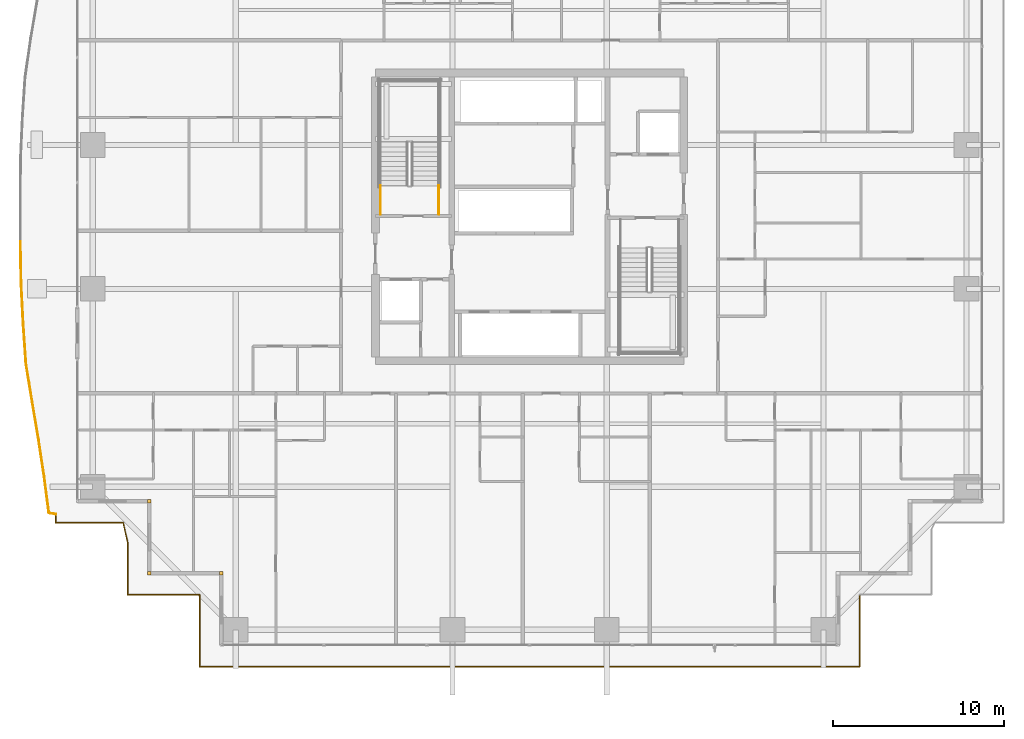
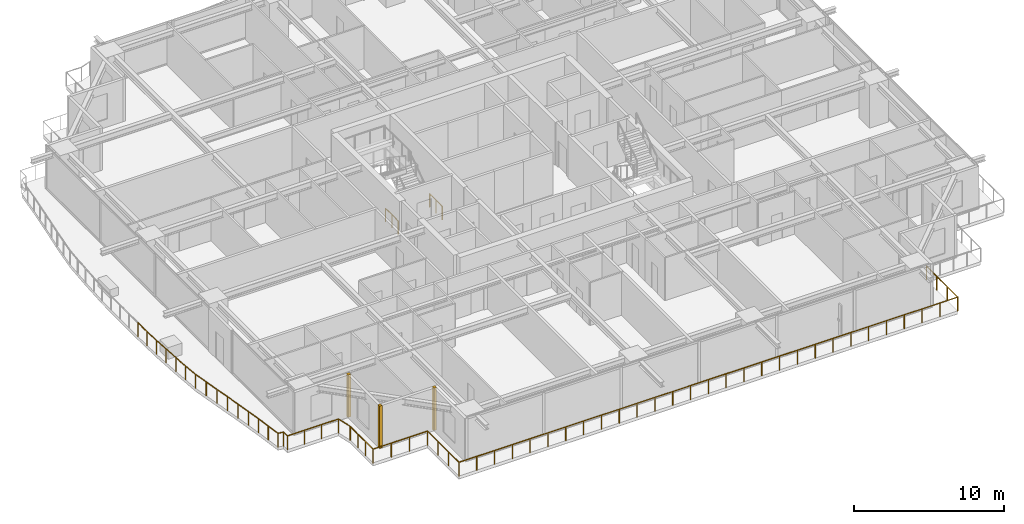
# One storey, part 31 of 36: 4 railings, 3 coverings.
"""IFC4 building model written with IfcOpenShell, lengths in metres."""

from ifc_helpers import new_model, si_unit, direction, frame, origin, origin_2d, place, context, subcontext, project, spatial, rectangle, circle, extrude, source, transform, mapped, material, layer, layer_set, type_object, element, save


model = new_model("IFC4")

# Units and contexts
model_context = context("Model", 3, precision=1e-05, world=origin(), true_north=direction((0.0, 1.0)))
body_context = subcontext(model_context, "Body", "Model", "MODEL_VIEW")
ifc_project = project(units=[si_unit("LENGTHUNIT", "METRE"), si_unit("AREAUNIT", "SQUARE_METRE"), si_unit("VOLUMEUNIT", "CUBIC_METRE"), si_unit("PLANEANGLEUNIT", "RADIAN"), si_unit("MASSUNIT", "GRAM", prefix="KILO")], contexts=[model_context])

# Site, building, storey
site_placement = place(None, origin())
site = spatial("IfcSite", under=ifc_project, at=site_placement, CompositionType="ELEMENT")
building_placement = place(site_placement, origin())
building = spatial("IfcBuilding", under=site, at=building_placement, Name="Serunith Strait Residences", CompositionType="ELEMENT")
storey_placement = place(building_placement, frame((0.0, 0.0, 86.699951171875)))
storey = spatial("IfcBuildingStorey", under=building, at=storey_placement, Name="L21", CompositionType="ELEMENT", Elevation=86.699951171875)

# Railings
ifc_material_1 = material(Name="Stainless Steel & Laminated Glass Balustrade", Category="steel")
railing_type_1 = type_object("IfcRailingType", Name="RLG-BALC-1150", PredefinedType="BALUSTRADE", material=ifc_material_1)
railing_1_placement = place(storey_placement, frame((4.739990234375, 7.8505859375, -0.050048828125)))
element("IfcRailing", 1, at=railing_1_placement, inside=storey, type_object=railing_type_1, Name="L21 Swirling Balcony Perimeter Balustrade 1", PredefinedType="BALUSTRADE", context=body_context, shape_type="SweptSolid", body=[
    extrude(circle(Radius=0.02392578125, at=origin_2d()), frame((-0.001953125, 0.000244140625, 1.1259765625), z_axis=(-0.987287578889, 0.158944130347, 0.0), x_axis=(-0.158944130347, -0.987287578889, 0.0)), (0.0, 0.0, 1.0), 0.395263671875),
    extrude(circle(Radius=0.02392578125, at=origin_2d()), frame((-0.39453125, 0.0654296875, 1.1259765625), z_axis=(-0.128317840244, 0.991733095079, 0.0), x_axis=(-0.991733095079, -0.128317840244, 0.0)), (0.0, 0.0, 1.0), 2.14208984375),
    extrude(circle(Radius=0.02392578125, at=origin_2d()), frame((-0.669921875, 2.19384765625, 1.1259765625), z_axis=(-0.150453925004, 0.988617022133, 0.0), x_axis=(-0.988617022133, -0.150453925004, 0.0)), (0.0, 0.0, 1.0), 2.17041015625),
    extrude(circle(Radius=0.02392578125, at=origin_2d()), frame((-0.9970703125, 4.343505859375, 1.1259765625), z_axis=(-0.165969354203, 0.986130910917, 0.0), x_axis=(-0.986130910917, -0.165969354203, 0.0)), (0.0, 0.0, 1.0), 2.21435546875),
    extrude(circle(Radius=0.02392578125, at=origin_2d()), frame((-1.365234375, 6.531005859375, 1.1259765625), z_axis=(-0.161773315592, 0.986827945674, 0.0), x_axis=(-0.986827945674, -0.161773315592, 0.0)), (0.0, 0.0, 1.0), 2.273193359375),
    extrude(circle(Radius=0.02392578125, at=origin_2d()), frame((-1.733642578125, 8.7783203125, 1.1259765625), z_axis=(-0.06870606579, 0.99763694625, 0.0), x_axis=(-0.99763694625, -0.06870606579, 0.0)), (0.0, 0.0, 1.0), 2.351806640625),
    extrude(circle(Radius=0.02392578125, at=origin_2d()), frame((-1.895263671875, 11.128662109375, 1.1259765625), z_axis=(-0.050871833498, 0.998705190012, 0.0), x_axis=(-0.998705190012, -0.050871833498, 0.0)), (0.0, 0.0, 1.0), 2.381103515625),
    extrude(circle(Radius=0.02392578125, at=origin_2d()), frame((-2.0166015625, 13.5107421875, 1.1259765625), z_axis=(-0.018073618896, 0.99983665881, 0.0), x_axis=(-0.99983665881, -0.018073618896, 0.0)), (0.0, 0.0, 1.0), 2.400390625),
    extrude(circle(Radius=0.02099609375, at=origin_2d()), origin(), (0.0, 0.0, 1.0), 1.099853515625),
    extrude(circle(Radius=0.02099609375, at=origin_2d()), frame((-0.394287109375, 0.0634765625, 0.0)), (0.0, 0.0, 1.0), 1.099853515625),
    extrude(circle(Radius=0.02099609375, at=origin_2d()), frame((-0.531982421875, 1.127685546875, 0.0)), (0.0, 0.0, 1.0), 1.099853515625),
    extrude(circle(Radius=0.02099609375, at=origin_2d()), frame((-0.669677734375, 2.19189453125, 0.0)), (0.0, 0.0, 1.0), 1.099853515625),
    extrude(circle(Radius=0.02099609375, at=origin_2d()), frame((-0.833251953125, 3.2666015625, 0.0)), (0.0, 0.0, 1.0), 1.099853515625),
    extrude(circle(Radius=0.02099609375, at=origin_2d()), frame((-0.996826171875, 4.341552734375, 0.0)), (0.0, 0.0, 1.0), 1.099853515625),
    extrude(circle(Radius=0.02099609375, at=origin_2d()), frame((-1.180908203125, 5.435302734375, 0.0)), (0.0, 0.0, 1.0), 1.099853515625),
    extrude(circle(Radius=0.02099609375, at=origin_2d()), frame((-1.364990234375, 6.529052734375, 0.0)), (0.0, 0.0, 1.0), 1.099853515625),
    extrude(circle(Radius=0.02099609375, at=origin_2d()), frame((-1.54931640625, 7.65283203125, 0.0)), (0.0, 0.0, 1.0), 1.099853515625),
    extrude(circle(Radius=0.02099609375, at=origin_2d()), frame((-1.7333984375, 8.7763671875, 0.0)), (0.0, 0.0, 1.0), 1.099853515625),
    extrude(circle(Radius=0.02099609375, at=origin_2d()), frame((-1.814453125, 9.95166015625, 0.0)), (0.0, 0.0, 1.0), 1.099853515625),
    extrude(circle(Radius=0.02099609375, at=origin_2d()), frame((-1.895263671875, 11.126708984375, 0.0)), (0.0, 0.0, 1.0), 1.099853515625),
    extrude(circle(Radius=0.02099609375, at=origin_2d()), frame((-1.9560546875, 12.31787109375, 0.0)), (0.0, 0.0, 1.0), 1.099853515625),
    extrude(circle(Radius=0.02099609375, at=origin_2d()), frame((-2.0166015625, 13.5087890625, 0.0)), (0.0, 0.0, 1.0), 1.099853515625),
    extrude(circle(Radius=0.02099609375, at=origin_2d()), frame((-2.038330078125, 14.7109375, 0.0)), (0.0, 0.0, 1.0), 1.099853515625),
    extrude(circle(Radius=0.02099609375, at=origin_2d()), frame((-2.06005859375, 15.912841796875, 0.0)), (0.0, 0.0, 1.0), 1.099853515625),
])
railing_2_placement = place(storey_placement, frame((51.659912109375, 3.139892578125, -0.050048828125)))
element("IfcRailing", 2, at=railing_2_placement, inside=storey, type_object=railing_type_1, Name="L21 Swirling Balcony Perimeter Balustrade 8", PredefinedType="BALUSTRADE", context=body_context, shape_type="SweptSolid", body=[
    extrude(circle(Radius=0.02392578125, at=origin_2d()), frame((0.0, -0.001953125, 1.1259765625), z_axis=(0.0, -1.0, 0.0), x_axis=(1.0, 0.0, 0.0)), (0.0, 0.0, 1.0), 4.196044921875),
    extrude(circle(Radius=0.02392578125, at=origin_2d()), frame((-0.001953125, -4.199951171875, 1.1259765625), z_axis=(-1.0, 0.0, 0.0), x_axis=(0.0, -1.0, 0.0)), (0.0, 0.0, 1.0), 38.51611328125),
    extrude(circle(Radius=0.02392578125, at=origin_2d()), frame((-38.52001953125, -4.197998046875, 1.1259765625), z_axis=(0.0, 1.0, 0.0), x_axis=(-1.0, 0.0, 0.0)), (0.0, 0.0, 1.0), 4.196044921875),
    extrude(circle(Radius=0.02392578125, at=origin_2d()), frame((-38.52197265625, 0.0, 1.1259765625), z_axis=(-1.0, 0.0, 0.0), x_axis=(0.0, -1.0, 0.0)), (0.0, 0.0, 1.0), 4.196044921875),
    extrude(circle(Radius=0.02392578125, at=origin_2d()), frame((-42.719970703125, 0.001953125, 1.1259765625), z_axis=(0.0, 1.0, 0.0), x_axis=(-1.0, 0.0, 0.0)), (0.0, 0.0, 1.0), 3.05078125),
    extrude(circle(Radius=0.02392578125, at=origin_2d()), frame((-42.720458984375, 3.056640625, 1.1259765625), z_axis=(-0.222339545163, 0.974969295238, 0.0), x_axis=(-0.974969295238, -0.222339545163, 0.0)), (0.0, 0.0, 1.0), 1.1708984375),
    extrude(circle(Radius=0.02392578125, at=origin_2d()), frame((-42.983154296875, 4.2001953125, 1.1259765625), z_axis=(-1.0, 0.0, 0.0), x_axis=(0.0, -1.0, 0.0)), (0.0, 0.0, 1.0), 3.934814453125),
    extrude(circle(Radius=0.02392578125, at=origin_2d()), frame((-46.919921875, 4.2021484375, 1.1259765625), z_axis=(0.0, 1.0, 0.0), x_axis=(-1.0, 0.0, 0.0)), (0.0, 0.0, 1.0), 0.506591796875),
    extrude(circle(Radius=0.02099609375, at=origin_2d()), origin(), (0.0, 0.0, 1.0), 1.099853515625),
    extrude(circle(Radius=0.02099609375, at=origin_2d()), frame((0.0, -1.39990234375, 0.0)), (0.0, 0.0, 1.0), 1.099853515625),
    extrude(circle(Radius=0.02099609375, at=origin_2d()), frame((0.0, -2.800048828125, 0.0)), (0.0, 0.0, 1.0), 1.099853515625),
    extrude(circle(Radius=0.02099609375, at=origin_2d()), frame((0.0, -4.199951171875, 0.0)), (0.0, 0.0, 1.0), 1.099853515625),
    extrude(circle(Radius=0.02099609375, at=origin_2d()), frame((-1.375732421875, -4.199951171875, 0.0)), (0.0, 0.0, 1.0), 1.099853515625),
    extrude(circle(Radius=0.02099609375, at=origin_2d()), frame((-2.75146484375, -4.199951171875, 0.0)), (0.0, 0.0, 1.0), 1.099853515625),
    extrude(circle(Radius=0.02099609375, at=origin_2d()), frame((-4.127197265625, -4.199951171875, 0.0)), (0.0, 0.0, 1.0), 1.099853515625),
    extrude(circle(Radius=0.02099609375, at=origin_2d()), frame((-5.5029296875, -4.199951171875, 0.0)), (0.0, 0.0, 1.0), 1.099853515625),
    extrude(circle(Radius=0.02099609375, at=origin_2d()), frame((-6.878662109375, -4.199951171875, 0.0)), (0.0, 0.0, 1.0), 1.099853515625),
    extrude(circle(Radius=0.02099609375, at=origin_2d()), frame((-8.25439453125, -4.199951171875, 0.0)), (0.0, 0.0, 1.0), 1.099853515625),
    extrude(circle(Radius=0.02099609375, at=origin_2d()), frame((-9.6298828125, -4.199951171875, 0.0)), (0.0, 0.0, 1.0), 1.099853515625),
    extrude(circle(Radius=0.02099609375, at=origin_2d()), frame((-11.005615234375, -4.199951171875, 0.0)), (0.0, 0.0, 1.0), 1.099853515625),
    extrude(circle(Radius=0.02099609375, at=origin_2d()), frame((-12.38134765625, -4.199951171875, 0.0)), (0.0, 0.0, 1.0), 1.099853515625),
    extrude(circle(Radius=0.02099609375, at=origin_2d()), frame((-13.757080078125, -4.199951171875, 0.0)), (0.0, 0.0, 1.0), 1.099853515625),
    extrude(circle(Radius=0.02099609375, at=origin_2d()), frame((-15.1328125, -4.199951171875, 0.0)), (0.0, 0.0, 1.0), 1.099853515625),
    extrude(circle(Radius=0.02099609375, at=origin_2d()), frame((-16.508544921875, -4.199951171875, 0.0)), (0.0, 0.0, 1.0), 1.099853515625),
    extrude(circle(Radius=0.02099609375, at=origin_2d()), frame((-17.88427734375, -4.199951171875, 0.0)), (0.0, 0.0, 1.0), 1.099853515625),
    extrude(circle(Radius=0.02099609375, at=origin_2d()), frame((-19.260009765625, -4.199951171875, 0.0)), (0.0, 0.0, 1.0), 1.099853515625),
    extrude(circle(Radius=0.02099609375, at=origin_2d()), frame((-20.6357421875, -4.199951171875, 0.0)), (0.0, 0.0, 1.0), 1.099853515625),
    extrude(circle(Radius=0.02099609375, at=origin_2d()), frame((-22.011474609375, -4.199951171875, 0.0)), (0.0, 0.0, 1.0), 1.099853515625),
    extrude(circle(Radius=0.02099609375, at=origin_2d()), frame((-23.38720703125, -4.199951171875, 0.0)), (0.0, 0.0, 1.0), 1.099853515625),
    extrude(circle(Radius=0.02099609375, at=origin_2d()), frame((-24.762939453125, -4.199951171875, 0.0)), (0.0, 0.0, 1.0), 1.099853515625),
    extrude(circle(Radius=0.02099609375, at=origin_2d()), frame((-26.138671875, -4.199951171875, 0.0)), (0.0, 0.0, 1.0), 1.099853515625),
    extrude(circle(Radius=0.02099609375, at=origin_2d()), frame((-27.514404296875, -4.199951171875, 0.0)), (0.0, 0.0, 1.0), 1.099853515625),
    extrude(circle(Radius=0.02099609375, at=origin_2d()), frame((-28.89013671875, -4.199951171875, 0.0)), (0.0, 0.0, 1.0), 1.099853515625),
    extrude(circle(Radius=0.02099609375, at=origin_2d()), frame((-30.265625, -4.199951171875, 0.0)), (0.0, 0.0, 1.0), 1.099853515625),
    extrude(circle(Radius=0.02099609375, at=origin_2d()), frame((-31.641357421875, -4.199951171875, 0.0)), (0.0, 0.0, 1.0), 1.099853515625),
    extrude(circle(Radius=0.02099609375, at=origin_2d()), frame((-33.01708984375, -4.199951171875, 0.0)), (0.0, 0.0, 1.0), 1.099853515625),
    extrude(circle(Radius=0.02099609375, at=origin_2d()), frame((-34.392822265625, -4.199951171875, 0.0)), (0.0, 0.0, 1.0), 1.099853515625),
    extrude(circle(Radius=0.02099609375, at=origin_2d()), frame((-35.7685546875, -4.199951171875, 0.0)), (0.0, 0.0, 1.0), 1.099853515625),
    extrude(circle(Radius=0.02099609375, at=origin_2d()), frame((-37.144287109375, -4.199951171875, 0.0)), (0.0, 0.0, 1.0), 1.099853515625),
    extrude(circle(Radius=0.02099609375, at=origin_2d()), frame((-38.52001953125, -4.199951171875, 0.0)), (0.0, 0.0, 1.0), 1.099853515625),
    extrude(circle(Radius=0.02099609375, at=origin_2d()), frame((-38.52001953125, -2.800048828125, 0.0)), (0.0, 0.0, 1.0), 1.099853515625),
    extrude(circle(Radius=0.02099609375, at=origin_2d()), frame((-38.52001953125, -1.39990234375, 0.0)), (0.0, 0.0, 1.0), 1.099853515625),
    extrude(circle(Radius=0.02099609375, at=origin_2d()), frame((-38.52001953125, 0.0, 0.0)), (0.0, 0.0, 1.0), 1.099853515625),
    extrude(circle(Radius=0.02099609375, at=origin_2d()), frame((-39.919921875, 0.0, 0.0)), (0.0, 0.0, 1.0), 1.099853515625),
    extrude(circle(Radius=0.02099609375, at=origin_2d()), frame((-41.320068359375, 0.0, 0.0)), (0.0, 0.0, 1.0), 1.099853515625),
    extrude(circle(Radius=0.02099609375, at=origin_2d()), frame((-42.719970703125, 0.0, 0.0)), (0.0, 0.0, 1.0), 1.099853515625),
    extrude(circle(Radius=0.02099609375, at=origin_2d()), frame((-42.719970703125, 1.018310546875, 0.0)), (0.0, 0.0, 1.0), 1.099853515625),
    extrude(circle(Radius=0.02099609375, at=origin_2d()), frame((-42.719970703125, 2.036376953125, 0.0)), (0.0, 0.0, 1.0), 1.099853515625),
    extrude(circle(Radius=0.02099609375, at=origin_2d()), frame((-42.719970703125, 3.0546875, 0.0)), (0.0, 0.0, 1.0), 1.099853515625),
    extrude(circle(Radius=0.02099609375, at=origin_2d()), frame((-42.981201171875, 4.2001953125, 0.0)), (0.0, 0.0, 1.0), 1.099853515625),
    extrude(circle(Radius=0.02099609375, at=origin_2d()), frame((-44.294189453125, 4.2001953125, 0.0)), (0.0, 0.0, 1.0), 1.099853515625),
    extrude(circle(Radius=0.02099609375, at=origin_2d()), frame((-45.60693359375, 4.2001953125, 0.0)), (0.0, 0.0, 1.0), 1.099853515625),
    extrude(circle(Radius=0.02099609375, at=origin_2d()), frame((-46.919921875, 4.2001953125, 0.0)), (0.0, 0.0, 1.0), 1.099853515625),
    extrude(circle(Radius=0.02099609375, at=origin_2d()), frame((-46.919921875, 4.710693359375, 0.0)), (0.0, 0.0, 1.0), 1.099853515625),
])
ifc_material_2 = material(Name="Brushed stainless steel 316L", Category="steel")
railing_type_2 = type_object("IfcRailingType", Name="RLG-STAIR-GUARD", PredefinedType="BALUSTRADE", material=ifc_material_2)
for number, where, name in (
    (3, (27.10009765625, 25.35009765625, 0.0), "L21 ST-1 stair guard 8"),
    (4, (23.699951171875, 25.35009765625, 0.0), "L21 ST-1 stair guard 9"),
):
    element("IfcRailing", number, at=place(storey_placement, frame(where)), inside=storey, type_object=railing_type_2, Name=name, PredefinedType="BALUSTRADE", context=body_context, shape_type="SweptSolid", body=[
        extrude(circle(Radius=0.02392578125, at=origin_2d()), frame((0.0, 0.001953125, 1.076171875), z_axis=(0.0, 1.0, 0.0), x_axis=(-1.0, 0.0, 0.0)), (0.0, 0.0, 1.0), 1.676025390625),
        extrude(circle(Radius=0.02099609375, at=origin_2d()), origin(), (0.0, 0.0, 1.0), 1.050048828125),
        extrude(circle(Radius=0.02099609375, at=origin_2d()), frame((0.0, 0.83984375, 0.0)), (0.0, 0.0, 1.0), 1.050048828125),
        extrude(circle(Radius=0.02099609375, at=origin_2d()), frame((0.0, 1.679931640625, 0.0)), (0.0, 0.0, 1.0), 1.050048828125),
    ])

# Coverings
ifc_material_3 = material(Name="Pale-Champagne Anodised Aluminium", Category="aluminium")
ifc_layer = layer(ifc_material_3, 0.219970703125, Name="Pale-Champagne Anodised Aluminium")
ifc_layer_set = layer_set([ifc_layer], Name="Pale-Champagne Anodised Aluminium")
covering_type = type_object("IfcCoveringType", Name="COV-CORN-TRIM", PredefinedType="CLADDING", material=ifc_layer_set)
shared_shape = source(origin(), body_context, "Body", "SweptSolid", [
    extrude(rectangle(XDim=0.221923828125, YDim=0.221923828125, at=origin_2d()), origin(), (0.0, 0.0, 1.0), 3.47509765625),
])
for number, where, z_axis, x_axis, name in (
    (5, (10.199951171875, 8.60009765625, 0.0), (0.0, 0.0, 1.0), (1.0, 0.0, 0.0), "L21 Girih Serrated Corner Trim Post 17"),
    (6, (10.199951171875, 4.39990234375, 0.0), (0.0, 0.0, 1.0), (1.0, 0.0, 0.0), "L21 Girih Serrated Corner Trim Post 18"),
    (7, (14.39990234375, 4.39990234375, 0.0), (0.0, 0.0, 1.0), (1.0, 0.0, 0.0), "L21 Girih Serrated Corner Trim Post 19"),
):
    element("IfcCovering", number, at=place(storey_placement, frame(where, z_axis=z_axis, x_axis=x_axis)), inside=storey, type_object=covering_type, Name=name, PredefinedType="CLADDING", context=body_context, shape_type="MappedRepresentation", body=[
        mapped(shared_shape, transform((0.0, 0.0, 0.0), scale=1.0)),
    ])

save(model, "model.ifc")
